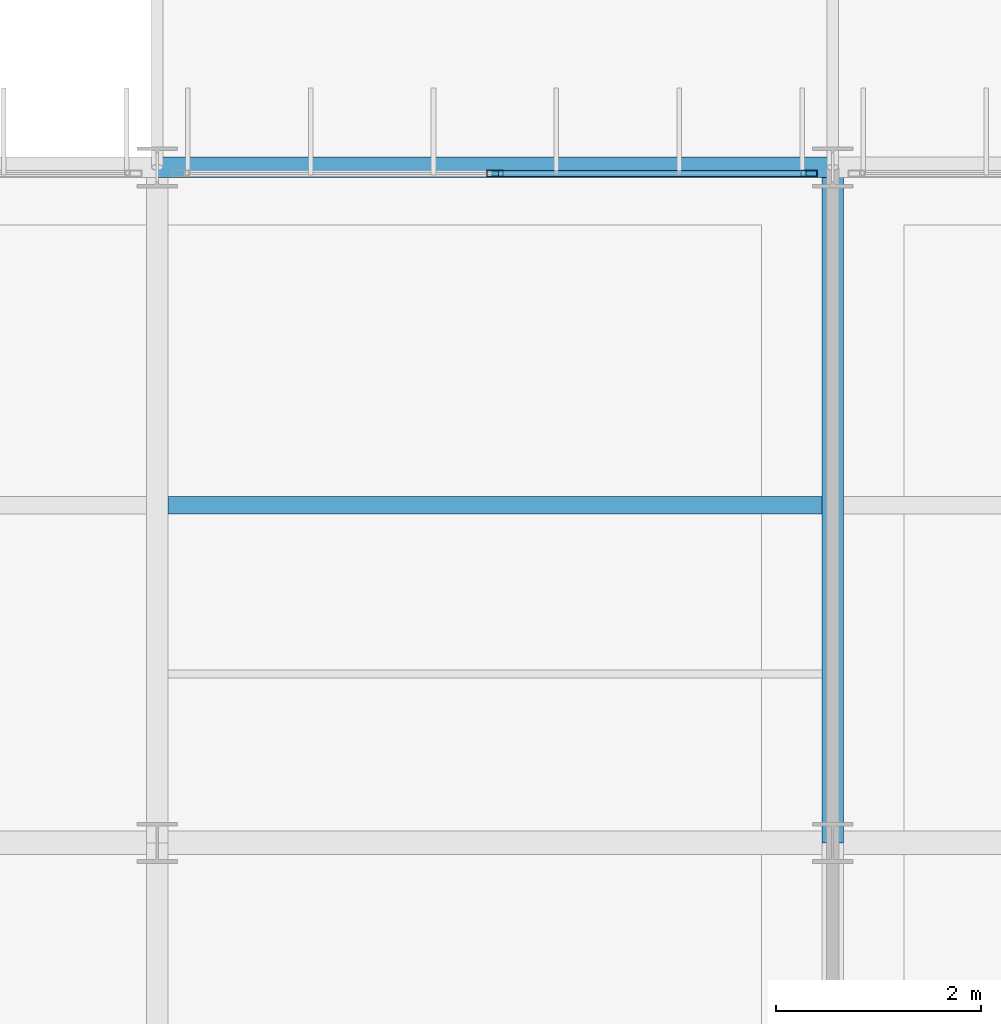
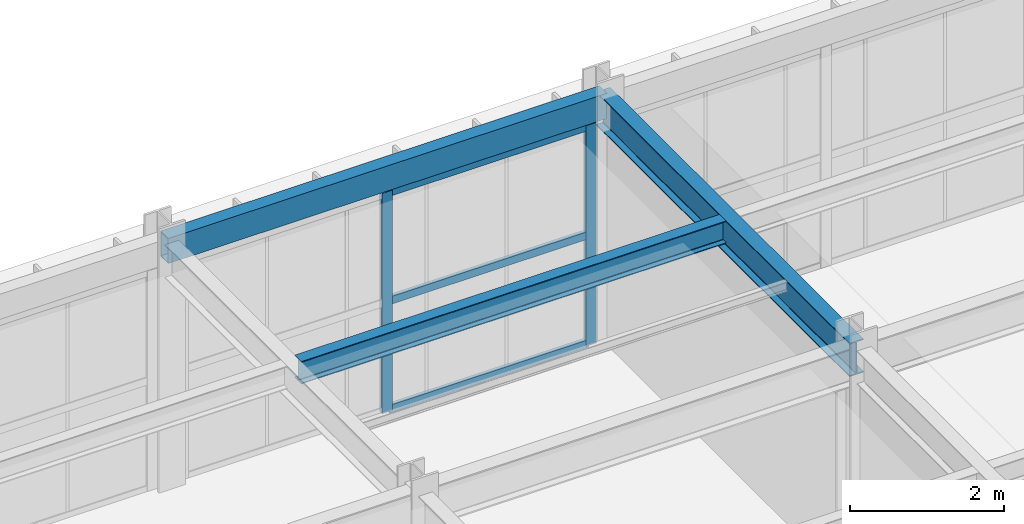
# One storey, part 57 of 148: 5 members, 3 beams, 1 element without a shape of its own.
"""IFC4 building model written with IfcOpenShell, lengths in metres."""

from ifc_helpers import new_model, si_unit, direction, frame, origin, origin_2d, place, context, subcontext, project, spatial, hollow_rectangle, i_section, extrude, material, material_profile, profile_set, type_object, element, aggregate, save


model = new_model("IFC4")

# Units and contexts
model_context = context("Model", 3, precision=1e-05, world=origin(), true_north=direction((0.0, 1.0)))
body_context = subcontext(model_context, "Body", "Model", "MODEL_VIEW")
ifc_project = project(units=[si_unit("LENGTHUNIT", "METRE"), si_unit("AREAUNIT", "SQUARE_METRE"), si_unit("VOLUMEUNIT", "CUBIC_METRE"), si_unit("PLANEANGLEUNIT", "RADIAN"), si_unit("MASSUNIT", "GRAM", prefix="KILO")], contexts=[model_context])

# Site, building, storey
site_placement = place(None, origin())
site = spatial("IfcSite", under=ifc_project, at=site_placement, CompositionType="ELEMENT")
building_placement = place(site_placement, origin())
building = spatial("IfcBuilding", under=site, at=building_placement, Name="Karori Crest Natural Sciences Institute", CompositionType="ELEMENT")
storey_placement = place(building_placement, frame((0.0, 0.0, 4.89990234375)))
storey = spatial("IfcBuildingStorey", under=building, at=storey_placement, Name="L01", CompositionType="ELEMENT", Elevation=4.89990234375)

# Beams
ifc_material_1 = material(Name="Structural steel AS/NZS 3679.1 Grade 350", Category="steel")
ifc_material_profile_1 = material_profile(ifc_material_1, i_section(OverallWidth=0.208984375, OverallDepth=0.532958984375, WebThickness=0.01025390625, FlangeThickness=0.015625, FilletRadius=0.013916015625, at=origin_2d()), Name="530UB92.4")
ifc_profile_set_1 = profile_set([ifc_material_profile_1], Name="Structural steel AS/NZS 3679.1 Grade 350")
beam_type_1 = type_object("IfcBeamType", Name="BT-05", PredefinedType="BEAM", material=ifc_profile_set_1)
beam_1_placement = place(storey_placement, frame((116.800048828125, 14.0, 3.653564453125), z_axis=(0.0, 1.0, 0.0), x_axis=(-1.0, 0.0, 0.0)))
element("IfcBeam", 1, at=beam_1_placement, inside=storey, type_object=beam_type_1, Name="Beam B-2150", PredefinedType="BEAM", context=body_context, shape_type="SweptSolid", body=[
    extrude(i_section(OverallWidth=0.208984375, OverallDepth=0.532958984375, WebThickness=0.01025390625, FlangeThickness=0.015625, FilletRadius=0.013916015625, at=origin_2d()), origin(), (0.0, 0.0, 1.0), 6.60009765625),
])
ifc_material_profile_2 = material_profile(ifc_material_1, i_section(OverallWidth=0.172119140625, OverallDepth=0.35888671875, WebThickness=0.008056640625, FlangeThickness=0.012939453125, FilletRadius=0.010986328125, at=origin_2d()), Name="360UB56.7")
ifc_profile_set_2 = profile_set([ifc_material_profile_2], Name="Structural steel AS/NZS 3679.1 Grade 350")
beam_type_2 = type_object("IfcBeamType", Name="BT-08", PredefinedType="BEAM", material=ifc_profile_set_2)
beam_2_placement = place(storey_placement, frame((110.304443359375, 17.300048828125, 3.740478515625), z_axis=(1.0, 0.0, 0.0), x_axis=(0.0, 1.0, 0.0)))
element("IfcBeam", 2, at=beam_2_placement, inside=storey, type_object=beam_type_2, Name="Beam B-2175", PredefinedType="BEAM", context=body_context, shape_type="SweptSolid", body=[
    extrude(i_section(OverallWidth=0.172119140625, OverallDepth=0.35888671875, WebThickness=0.008056640625, FlangeThickness=0.012939453125, FilletRadius=0.010986328125, at=origin_2d()), origin(), (0.0, 0.0, 1.0), 6.39111328125),
])
ifc_material_2 = material(Name="Hollow structural steel AS/NZS 1163 Grade C350", Category="steel")
ifc_material_profile_3 = material_profile(ifc_material_2, hollow_rectangle(XDim=0.199951171875, YDim=0.39990234375, WallThickness=0.012451171875, at=origin_2d()), Name="RHS400x200x12.5")
ifc_profile_set_3 = profile_set([ifc_material_profile_3], Name="Hollow structural steel AS/NZS 1163 Grade C350")
beam_type_3 = type_object("IfcBeamType", Name="BT-14", PredefinedType="SPANDREL", material=ifc_profile_set_3)
beam_3_placement = place(storey_placement, frame((110.199951171875, 20.60009765625, 3.72021484375), z_axis=(1.0, 0.0, 0.0), x_axis=(0.0, 1.0, 0.0)))
element("IfcBeam", 3, at=beam_3_placement, inside=storey, type_object=beam_type_3, Name="Beam B-2134", PredefinedType="SPANDREL", context=body_context, shape_type="SweptSolid", body=[
    extrude(hollow_rectangle(XDim=0.199951171875, YDim=0.39990234375, WallThickness=0.012451171875, at=origin_2d()), origin(), (0.0, 0.0, 1.0), 6.60009765625),
])

# Curtain wall, members
ifc_material_3 = material(Name="Anodised architectural aluminium 6063-T6", Category="aluminium")
curtain_wall_type = type_object("IfcCurtainWallType", Name="CWT-20", PredefinedType="NOTDEFINED", material=ifc_material_3)
curtain_wall_placement = place(storey_placement, origin())
curtain_wall = element("IfcCurtainWall", 4, at=curtain_wall_placement, inside=storey, type_object=curtain_wall_type, Name="Curtain wall CW-0305", PredefinedType="NOTDEFINED")
ifc_material_profile_4 = material_profile(ifc_material_3, hollow_rectangle(XDim=0.06494140625, YDim=0.159912109375, WallThickness=0.00390625, at=origin_2d()), Name="CWM160x65x4")
ifc_profile_set_4 = profile_set([ifc_material_profile_4], Name="Anodised architectural aluminium 6063-T6")
member_type_1 = type_object("IfcMemberType", Name="CWM-01", PredefinedType="MULLION", material=ifc_profile_set_4)
member_1_placement = place(storey_placement, frame((113.5, 20.5400390625, 0.0), z_axis=(0.0, 0.0, 1.0), x_axis=(0.0, 1.0, 0.0)))
member_1 = element("IfcMember", 5, at=member_1_placement, type_object=member_type_1, Name="CW-0305 mullion 2", PredefinedType="MULLION", context=body_context, shape_type="SweptSolid", body=[
    extrude(hollow_rectangle(XDim=0.06494140625, YDim=0.159912109375, WallThickness=0.00390625, at=origin_2d()), origin(), (0.0, 0.0, 1.0), 3.505126953125),
])
member_2_placement = place(storey_placement, frame((116.569580078125, 20.5400390625, 0.0), z_axis=(0.0, 0.0, 1.0), x_axis=(0.0, 1.0, 0.0)))
member_2 = element("IfcMember", 6, at=member_2_placement, type_object=member_type_1, Name="CW-0305 mullion 3", PredefinedType="MULLION", context=body_context, shape_type="SweptSolid", body=[
    extrude(hollow_rectangle(XDim=0.06494140625, YDim=0.159912109375, WallThickness=0.00390625, at=origin_2d()), origin(), (0.0, 0.0, 1.0), 3.505126953125),
])
ifc_material_profile_5 = material_profile(ifc_material_3, hollow_rectangle(XDim=0.06005859375, YDim=0.1201171875, WallThickness=0.00390625, at=origin_2d()), Name="CWT120x60x4")
ifc_profile_set_5 = profile_set([ifc_material_profile_5], Name="Anodised architectural aluminium 6063-T6")
member_type_2 = type_object("IfcMemberType", Name="CWT-TR1", PredefinedType="USERDEFINED", material=ifc_profile_set_5)
member_3_placement = place(storey_placement, frame((113.532470703125, 20.5400390625, 0.030029296875), z_axis=(1.0, 0.0, 0.0), x_axis=(0.0, 1.0, 0.0)))
member_3 = element("IfcMember", 7, at=member_3_placement, type_object=member_type_2, Name="CW-0305 transom 2.1", ObjectType="TRANSOM", PredefinedType="USERDEFINED", context=body_context, shape_type="SweptSolid", body=[
    extrude(hollow_rectangle(XDim=0.06005859375, YDim=0.1201171875, WallThickness=0.00390625, at=origin_2d()), origin(), (0.0, 0.0, 1.0), 3.004638671875),
])
member_4_placement = place(storey_placement, frame((113.532470703125, 20.5400390625, 1.752685546875), z_axis=(1.0, 0.0, 0.0), x_axis=(0.0, 1.0, 0.0)))
member_4 = element("IfcMember", 8, at=member_4_placement, type_object=member_type_2, Name="CW-0305 transom 2.2", ObjectType="TRANSOM", PredefinedType="USERDEFINED", context=body_context, shape_type="SweptSolid", body=[
    extrude(hollow_rectangle(XDim=0.06005859375, YDim=0.1201171875, WallThickness=0.00390625, at=origin_2d()), origin(), (0.0, 0.0, 1.0), 3.004638671875),
])
member_5_placement = place(storey_placement, frame((113.532470703125, 20.5400390625, 3.47509765625), z_axis=(1.0, 0.0, 0.0), x_axis=(0.0, 1.0, 0.0)))
member_5 = element("IfcMember", 9, at=member_5_placement, type_object=member_type_2, Name="CW-0305 transom 2.3", ObjectType="TRANSOM", PredefinedType="USERDEFINED", context=body_context, shape_type="SweptSolid", body=[
    extrude(hollow_rectangle(XDim=0.06005859375, YDim=0.1201171875, WallThickness=0.00390625, at=origin_2d()), origin(), (0.0, 0.0, 1.0), 3.004638671875),
])
aggregate(curtain_wall, [member_1, member_2, member_3, member_4, member_5])

save(model, "model.ifc")
